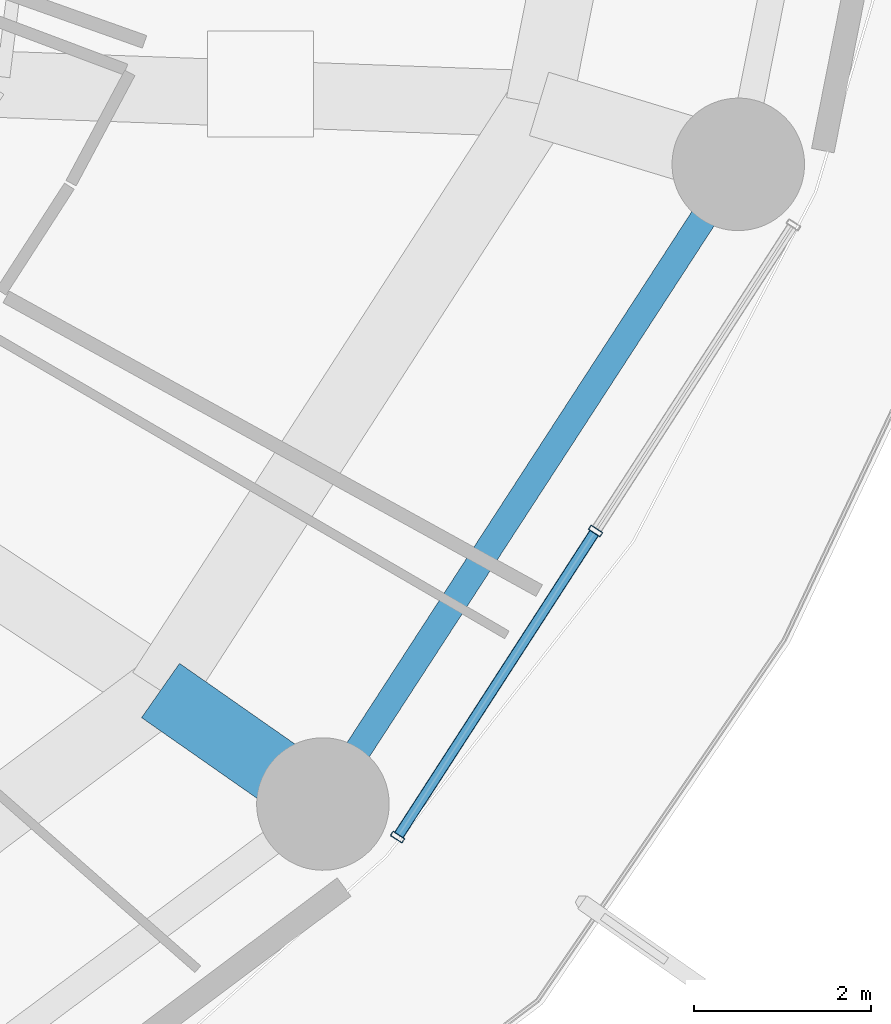
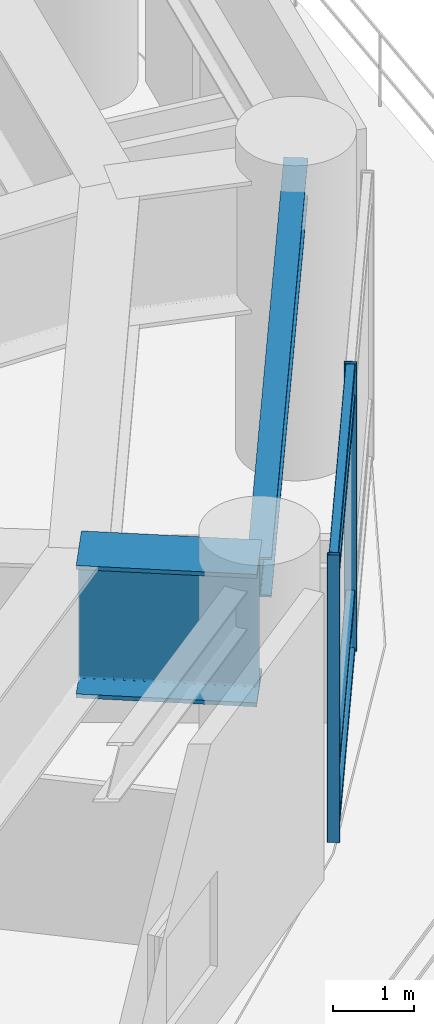
# One storey, part 10 of 31: 6 members, 2 beams, 1 element without a shape of its own.
"""IFC4 building model written with IfcOpenShell, lengths in metres."""

import ifcopenshell
import ifcopenshell.guid

model = None  # the IFC model being written
_history = None  # IfcOwnerHistory: only IFC2X3 demands one
_inside = {}  # id of a spatial element -> (the spatial element, [elements in it])
_under = {}  # id of a project, library or spatial element -> (it, [spatial elements below it])
_declared = {}  # id of a project -> (the project, [libraries it declares])
_typed = {}  # id of a type object -> (the type object, [elements of that type])
_made_of = {}  # id of a material, layer set ... -> (it, [elements and type objects made of it])


def new_model(schema):
    """Start an empty IFC model of exactly this schema.

    Asked for "IFC4X3", IfcOpenShell would pick the latest addendum, in which some entities
    have other attributes; the version numbers below select the first issue.
    IFC2X3 requires an IfcOwnerHistory on every rooted entity: one is made here for all.
    """
    global model, _history
    if schema == "IFC4X3":
        model = ifcopenshell.file(schema_version=(4, 3, 0, 0))
    else:
        model = ifcopenshell.file(schema=schema)
    _inside.clear()
    _under.clear()
    _declared.clear()
    _typed.clear()
    _made_of.clear()
    _history = None
    if model.schema == "IFC2X3":
        org = make("IfcOrganization", Name="unknown")
        user = make(
            "IfcPersonAndOrganization",
            ThePerson=make("IfcPerson", FamilyName="unknown"),
            TheOrganization=org,
        )
        app = make(
            "IfcApplication",
            ApplicationDeveloper=org,
            Version="unknown",
            ApplicationFullName="unknown",
            ApplicationIdentifier="unknown",
        )
        _history = make(
            "IfcOwnerHistory",
            OwningUser=user,
            OwningApplication=app,
            ChangeAction="ADDED",
            CreationDate=0,
        )
    return model


def make(cls, **values):
    """One entity of the class cls with the attributes given. An attribute that is None is left unset."""
    return model.create_entity(
        cls, **{name: value for name, value in values.items() if value is not None}
    )


def rooted(cls, **values):
    """An entity with a GlobalId (a new one), such as an element, a storey or a relation."""
    return make(cls, GlobalId=ifcopenshell.guid.new(), OwnerHistory=_history, **values)


def si_unit(unit_type, name, prefix=None):
    """IfcSIUnit, for example si_unit("LENGTHUNIT", "METRE", prefix="MILLI")."""
    return make("IfcSIUnit", UnitType=unit_type, Prefix=prefix, Name=name)


def assignment(units):
    """IfcUnitAssignment: the units of a project."""
    return None if units is None else make("IfcUnitAssignment", Units=units)


def point(xyz):
    """IfcCartesianPoint."""
    return None if xyz is None else make("IfcCartesianPoint", Coordinates=xyz)


def direction(xyz):
    """IfcDirection."""
    return None if xyz is None else make("IfcDirection", DirectionRatios=xyz)


def frame(location, z_axis=None, x_axis=None):
    """IfcAxis2Placement3D, a coordinate frame: its origin and axes. An axis left out is left unset."""
    return make(
        "IfcAxis2Placement3D",
        Location=point(location),
        Axis=direction(z_axis),
        RefDirection=direction(x_axis),
    )


def frame_2d(location, x_axis=None):
    """IfcAxis2Placement2D, a coordinate frame in the plane: its origin and x axis."""
    return make(
        "IfcAxis2Placement2D", Location=point(location), RefDirection=direction(x_axis)
    )


def origin():
    """The frame at (0, 0, 0) with its axes left unset."""
    return frame((0.0, 0.0, 0.0))


def origin_2d():
    """The frame at (0, 0) in the plane with its x axis left unset."""
    return frame_2d((0.0, 0.0))


def place(relative_to, where):
    """IfcLocalPlacement: puts the frame where relative to a parent placement (None: the world)."""
    return make(
        "IfcLocalPlacement", PlacementRelTo=relative_to, RelativePlacement=where
    )


def context(
    kind, dimensions, precision=None, world=None, true_north=None, identifier=None
):
    """IfcGeometricRepresentationContext, for example the 3D "Model" context."""
    return make(
        "IfcGeometricRepresentationContext",
        ContextIdentifier=identifier,
        ContextType=kind,
        CoordinateSpaceDimension=dimensions,
        Precision=precision,
        WorldCoordinateSystem=world,
        TrueNorth=true_north,
    )


def subcontext(parent, identifier, kind, view, scale=None):
    """IfcGeometricRepresentationSubContext, for example "Body" below "Model"."""
    return make(
        "IfcGeometricRepresentationSubContext",
        ContextIdentifier=identifier,
        ContextType=kind,
        ParentContext=parent,
        TargetScale=scale,
        TargetView=view,
    )


def project(units=None, contexts=None):
    """IfcProject with its units and contexts."""
    return rooted(
        "IfcProject",
        Name="project",
        RepresentationContexts=contexts,
        UnitsInContext=assignment(units),
    )


def spatial(cls, under=None, at=None, **own):
    """A site, building, storey or space (cls), placed at a placement, below another one or the project."""
    s = rooted(cls, ObjectPlacement=at, **own)
    if under is not None:
        _under.setdefault(under.id(), (under, []))[1].append(s)
    return s


def profile(cls, at=None, kind="AREA", **sizes):
    """A parametric profile (cls). Its sizes go by their IFC names, for example OverallWidth=200.0."""
    return make(cls, ProfileType=kind, Position=at, **sizes)


def hollow_rectangle(**sizes):
    """IfcRectangleHollowProfileDef."""
    return profile("IfcRectangleHollowProfileDef", **sizes)


def i_section(**sizes):
    """IfcIShapeProfileDef."""
    return profile("IfcIShapeProfileDef", **sizes)


def extrude(swept, where, along, depth):
    """IfcExtrudedAreaSolid: the profile swept, set in the frame where, extruded along a direction by depth."""
    return make(
        "IfcExtrudedAreaSolid",
        SweptArea=swept,
        Position=where,
        ExtrudedDirection=direction(along),
        Depth=depth,
    )


def shape(context_of_items, identifier, shape_type, items):
    """IfcShapeRepresentation: the items that make up one representation, for example the "Body"."""
    return make(
        "IfcShapeRepresentation",
        ContextOfItems=context_of_items,
        RepresentationIdentifier=identifier,
        RepresentationType=shape_type,
        Items=items,
    )


def material(Name=None, Category=None):
    """IfcMaterial."""
    return make("IfcMaterial", Name=Name, Category=Category)


def layer(
    of_material, thickness, ventilated=None, Name=None, Category=None, Priority=None
):
    """IfcMaterialLayer: one layer of a wall or slab, of a material (None: an air gap)."""
    return make(
        "IfcMaterialLayer",
        Material=of_material,
        LayerThickness=thickness,
        IsVentilated=ventilated,
        Name=Name,
        Category=Category,
        Priority=Priority,
    )


def layer_set(layers, Name=None):
    """IfcMaterialLayerSet."""
    return make("IfcMaterialLayerSet", MaterialLayers=layers, LayerSetName=Name)


def material_profile(
    of_material, cross_section, Name=None, Category=None, Priority=None
):
    """IfcMaterialProfile: a cross section and its material."""
    return make(
        "IfcMaterialProfile",
        Name=Name,
        Material=of_material,
        Profile=cross_section,
        Priority=Priority,
        Category=Category,
    )


def profile_set(profiles, Name=None, composite=None):
    """IfcMaterialProfileSet."""
    return make(
        "IfcMaterialProfileSet",
        Name=Name,
        MaterialProfiles=profiles,
        CompositeProfile=composite,
    )


def made_of(thing, what):
    """Note that an element or type object is made of a material, layer set ...; save() writes the relation."""
    if what is not None:
        _made_of.setdefault(what.id(), (what, []))[1].append(thing)
    return thing


def type_object(cls, material=None, **own):
    """A type object (cls), such as IfcWallType, which elements share."""
    return made_of(rooted(cls, **own), material)


def element(
    cls,
    number,
    at=None,
    inside=None,
    cuts=None,
    type_object=None,
    material=None,
    context=None,
    identifier="Body",
    shape_type=None,
    held_by="IfcProductDefinitionShape",
    body=None,
    shapes=None,
    **own,
):
    """One element of the class cls, such as IfcWall. Its Tag is "e" and its number.

    at: its placement. inside: the storey or other place that contains it. cuts: it is an
    opening in that element (IfcRelVoidsElement). A single representation is given by context,
    identifier, shape_type and body (its items); several are given by shapes. held_by: the class
    of the entity that holds the representations. save() writes the other relations.
    """
    e = rooted(cls, Tag="e%d" % number, ObjectPlacement=at, **own)
    if body is not None:
        shapes = [shape(context, identifier, shape_type, body)]
    if shapes is not None:
        e.Representation = make(held_by, Representations=shapes)
    if inside is not None:
        _inside.setdefault(inside.id(), (inside, []))[1].append(e)
    if cuts is not None:
        rooted(
            "IfcRelVoidsElement", RelatingBuildingElement=cuts, RelatedOpeningElement=e
        )
    if type_object is not None:
        _typed.setdefault(type_object.id(), (type_object, []))[1].append(e)
    return made_of(e, material)


def aggregate(whole, parts):
    """IfcRelAggregates: a whole, such as a stair, and the parts it consists of."""
    return rooted("IfcRelAggregates", RelatingObject=whole, RelatedObjects=parts)


def save(model, path):
    """Write the relations noted so far, then the file.

    IfcRelAggregates (storeys below a building ...), IfcRelContainedInSpatialStructure (elements
    in a storey), IfcRelDefinesByType, IfcRelAssociatesMaterial and IfcRelDeclares: one each for
    every whole, place, type object, material and project.
    """
    for whole, parts in _under.values():
        aggregate(whole, parts)
    for where, things in _inside.values():
        rooted(
            "IfcRelContainedInSpatialStructure",
            RelatedElements=things,
            RelatingStructure=where,
        )
    for kind, things in _typed.values():
        rooted("IfcRelDefinesByType", RelatedObjects=things, RelatingType=kind)
    for what, things in _made_of.values():
        rooted("IfcRelAssociatesMaterial", RelatedObjects=things, RelatingMaterial=what)
    for by, libraries in _declared.values():
        rooted("IfcRelDeclares", RelatingContext=by, RelatedDefinitions=libraries)
    model.write(path)


model = new_model("IFC4")

# Units and contexts
model_context = context("Model", 3, precision=1e-05, world=origin(), true_north=direction((0.0, 1.0)))
body_context = subcontext(model_context, "Body", "Model", "MODEL_VIEW")
ifc_project = project(units=[si_unit("LENGTHUNIT", "METRE"), si_unit("AREAUNIT", "SQUARE_METRE"), si_unit("VOLUMEUNIT", "CUBIC_METRE"), si_unit("PLANEANGLEUNIT", "RADIAN"), si_unit("MASSUNIT", "GRAM", prefix="KILO")], contexts=[model_context])

# Site, building, storey
site_placement = place(None, origin())
site = spatial("IfcSite", under=ifc_project, at=site_placement, CompositionType="ELEMENT")
building_placement = place(site_placement, origin())
building = spatial("IfcBuilding", under=site, at=building_placement, Name="Kelanora Arch Commons", CompositionType="ELEMENT")
storey_placement = place(building_placement, frame((0.0, 0.0, 67.5)))
storey = spatial("IfcBuildingStorey", under=building, at=storey_placement, Name="L17", CompositionType="ELEMENT", Elevation=67.5)

# Beams
ifc_material_1 = material(Name="Steel S355", Category="steel")
ifc_material_profile_1 = material_profile(ifc_material_1, i_section(OverallWidth=0.300048828125, OverallDepth=0.60009765625, WebThickness=0.015380859375, FlangeThickness=0.030029296875, FilletRadius=0.027099609375, at=origin_2d()), Name="HEB600")
ifc_profile_set_1 = profile_set([ifc_material_profile_1], Name="Steel S355")
beam_type_1 = type_object("IfcBeamType", Name="BM-SPN-Z1", PredefinedType="SPANDREL", material=ifc_profile_set_1)
beam_1_placement = place(storey_placement, frame((94.744384765625, 42.521728515625, 4.06005859375), z_axis=(0.544585813928, 0.838705127722, 0.0), x_axis=(-0.838705127722, 0.544585813928, 0.0)))
element("IfcBeam", 1, at=beam_1_placement, inside=storey, type_object=beam_type_1, Name="Perimeter Spandrel Beam BS-32 L17", PredefinedType="SPANDREL", context=body_context, shape_type="SweptSolid", body=[
    extrude(i_section(OverallWidth=0.300048828125, OverallDepth=0.60009765625, WebThickness=0.015380859375, FlangeThickness=0.030029296875, FilletRadius=0.027099609375, at=origin_2d()), origin(), (0.0, 0.0, 1.0), 8.63525390625),
])
ifc_material_profile_2 = material_profile(ifc_material_1, i_section(OverallWidth=0.75, OverallDepth=2.0, WebThickness=0.034912109375, FlangeThickness=0.06005859375, FilletRadius=0.028076171875, at=origin_2d()), Name="PG2000x750")
ifc_profile_set_2 = profile_set([ifc_material_profile_2], Name="Steel S355")
beam_type_2 = type_object("IfcBeamType", Name="BM-XFER-SET", PredefinedType="USERDEFINED", material=ifc_profile_set_2)
beam_2_placement = place(storey_placement, frame((92.906005859375, 43.80712890625, 3.360107421875), z_axis=(0.819538590643, -0.573023994653, 0.0), x_axis=(0.573023994653, 0.819538590643, 0.0)))
element("IfcBeam", 2, at=beam_2_placement, inside=storey, type_object=beam_type_2, Name="Radial Floor Girder BR-32 L17", ObjectType="TRANSFER_GIRDER", PredefinedType="USERDEFINED", context=body_context, shape_type="SweptSolid", body=[
    extrude(i_section(OverallWidth=0.75, OverallDepth=2.0, WebThickness=0.034912109375, FlangeThickness=0.06005859375, FilletRadius=0.028076171875, at=origin_2d()), origin(), (0.0, 0.0, 1.0), 2.2431640625),
])

# Curtain wall, members
ifc_material_2 = material(Name="Terracotta ceramic-fritted low-E glass and aluminium", Category="masonry")
ifc_layer = layer(ifc_material_2, 0.159912109375)
ifc_layer_set = layer_set([ifc_layer], Name="Terracotta ceramic-fritted low-E glass and aluminium")
curtain_wall_type = type_object("IfcCurtainWallType", Name="CW-SYS-01", PredefinedType="NOTDEFINED", material=ifc_layer_set)
curtain_wall_placement = place(storey_placement, origin())
curtain_wall = element("IfcCurtainWall", 3, at=curtain_wall_placement, inside=storey, type_object=curtain_wall_type, Name="Unitised Curtain Wall L17-B16", PredefinedType="NOTDEFINED")
ifc_material_3 = material(Name="Powder-coated aluminium terracotta", Category="masonry")
ifc_material_profile_3 = material_profile(ifc_material_3, hollow_rectangle(XDim=0.159912109375, YDim=0.06005859375, WallThickness=0.0048828125, InnerFilletRadius=0.0048828125, OuterFilletRadius=0.010009765625, at=origin_2d()), Name="CWM160x60")
ifc_profile_set_3 = profile_set([ifc_material_profile_3], Name="Powder-coated aluminium terracotta")
member_type_1 = type_object("IfcMemberType", Name="CWM-STD", PredefinedType="MULLION", material=ifc_profile_set_3)
member_1_placement = place(storey_placement, frame((95.58935546875, 42.14697265625, 0.0), z_axis=(0.0, 0.0, 1.0), x_axis=(-0.83972982332, 0.543004441812, 0.0)))
member_1 = element("IfcMember", 4, at=member_1_placement, type_object=member_type_1, Name="CW-01 mullion 1", PredefinedType="MULLION", context=body_context, shape_type="SweptSolid", body=[
    extrude(hollow_rectangle(XDim=0.159912109375, YDim=0.06005859375, WallThickness=0.0048828125, InnerFilletRadius=0.0048828125, OuterFilletRadius=0.010009765625, at=origin_2d()), origin(), (0.0, 0.0, 1.0), 4.344970703125),
])
member_2_placement = place(storey_placement, frame((97.830810546875, 45.61328125, 0.0), z_axis=(0.0, 0.0, 1.0), x_axis=(-0.83972982332, 0.543004441812, 0.0)))
member_2 = element("IfcMember", 5, at=member_2_placement, type_object=member_type_1, Name="CW-01 mullion 2", PredefinedType="MULLION", context=body_context, shape_type="SweptSolid", body=[
    extrude(hollow_rectangle(XDim=0.159912109375, YDim=0.06005859375, WallThickness=0.0048828125, InnerFilletRadius=0.0048828125, OuterFilletRadius=0.010009765625, at=origin_2d()), origin(), (0.0, 0.0, 1.0), 4.344970703125),
])
ifc_material_profile_4 = material_profile(ifc_material_3, hollow_rectangle(XDim=0.1201171875, YDim=0.06005859375, WallThickness=0.0048828125, InnerFilletRadius=0.0048828125, OuterFilletRadius=0.010009765625, at=origin_2d()), Name="CWT120x60")
ifc_profile_set_4 = profile_set([ifc_material_profile_4], Name="Powder-coated aluminium terracotta")
member_type_2 = type_object("IfcMemberType", Name="CWT-STD", PredefinedType="USERDEFINED", material=ifc_profile_set_4)
member_3_placement = place(storey_placement, frame((95.605712890625, 42.17236328125, 0.030029296875), z_axis=(0.542997414293, 0.839734367566, 0.0), x_axis=(-0.839734367566, 0.542997414293, 0.0)))
member_3 = element("IfcMember", 6, at=member_3_placement, type_object=member_type_2, Name="CW-01 transom 1.1", ObjectType="TRANSOM", PredefinedType="USERDEFINED", context=body_context, shape_type="SweptSolid", body=[
    extrude(hollow_rectangle(XDim=0.1201171875, YDim=0.06005859375, WallThickness=0.0048828125, InnerFilletRadius=0.0048828125, OuterFilletRadius=0.010009765625, at=origin_2d()), origin(), (0.0, 0.0, 1.0), 4.067626953125),
])
member_4_placement = place(storey_placement, frame((95.605712890625, 42.17236328125, 0.89990234375), z_axis=(0.542997414293, 0.839734367566, 0.0), x_axis=(-0.839734367566, 0.542997414293, 0.0)))
member_4 = element("IfcMember", 7, at=member_4_placement, type_object=member_type_2, Name="CW-01 transom 1.2", ObjectType="TRANSOM", PredefinedType="USERDEFINED", context=body_context, shape_type="SweptSolid", body=[
    extrude(hollow_rectangle(XDim=0.1201171875, YDim=0.06005859375, WallThickness=0.0048828125, InnerFilletRadius=0.0048828125, OuterFilletRadius=0.010009765625, at=origin_2d()), origin(), (0.0, 0.0, 1.0), 4.067626953125),
])
member_5_placement = place(storey_placement, frame((95.605712890625, 42.17236328125, 3.844970703125), z_axis=(0.542997414293, 0.839734367566, 0.0), x_axis=(-0.839734367566, 0.542997414293, 0.0)))
member_5 = element("IfcMember", 8, at=member_5_placement, type_object=member_type_2, Name="CW-01 transom 1.3", ObjectType="TRANSOM", PredefinedType="USERDEFINED", context=body_context, shape_type="SweptSolid", body=[
    extrude(hollow_rectangle(XDim=0.1201171875, YDim=0.06005859375, WallThickness=0.0048828125, InnerFilletRadius=0.0048828125, OuterFilletRadius=0.010009765625, at=origin_2d()), origin(), (0.0, 0.0, 1.0), 4.067626953125),
])
member_6_placement = place(storey_placement, frame((95.605712890625, 42.17236328125, 4.31494140625), z_axis=(0.542997414293, 0.839734367566, 0.0), x_axis=(-0.839734367566, 0.542997414293, 0.0)))
member_6 = element("IfcMember", 9, at=member_6_placement, type_object=member_type_2, Name="CW-01 transom 1.4", ObjectType="TRANSOM", PredefinedType="USERDEFINED", context=body_context, shape_type="SweptSolid", body=[
    extrude(hollow_rectangle(XDim=0.1201171875, YDim=0.06005859375, WallThickness=0.0048828125, InnerFilletRadius=0.0048828125, OuterFilletRadius=0.010009765625, at=origin_2d()), origin(), (0.0, 0.0, 1.0), 4.067626953125),
])
aggregate(curtain_wall, [member_1, member_2, member_3, member_4, member_5, member_6])

save(model, "model.ifc")
